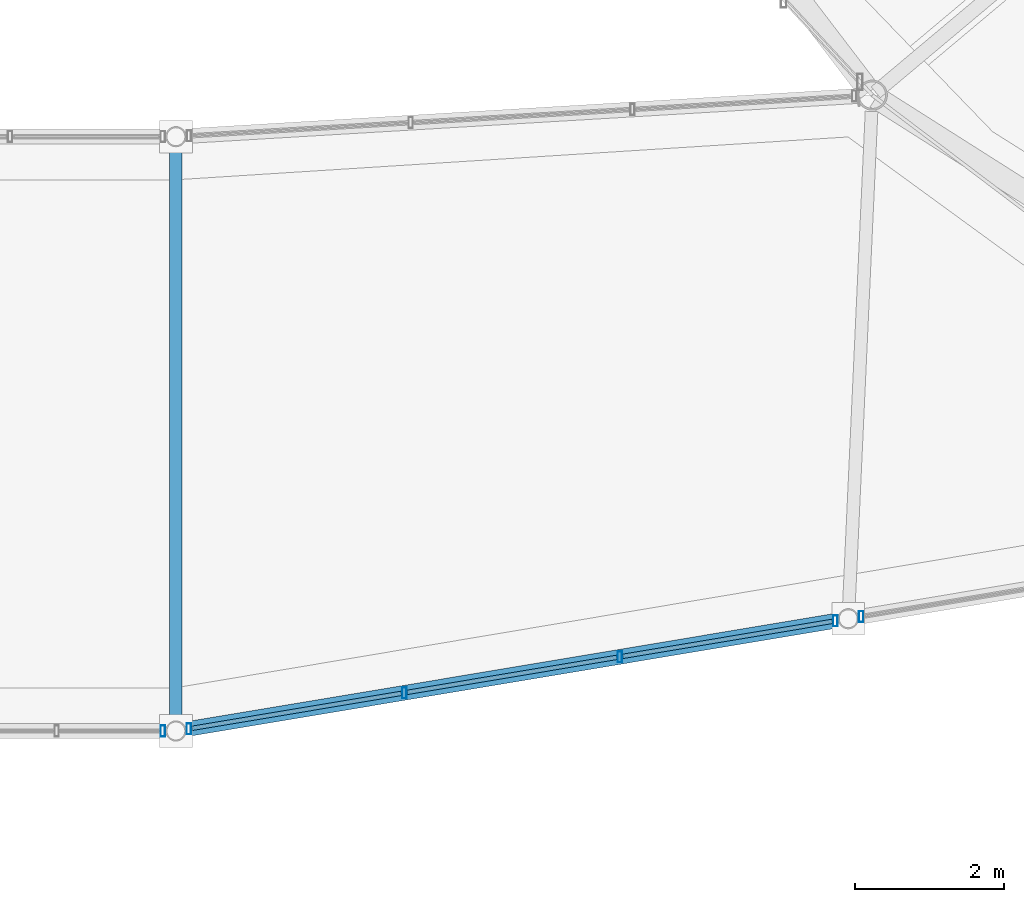
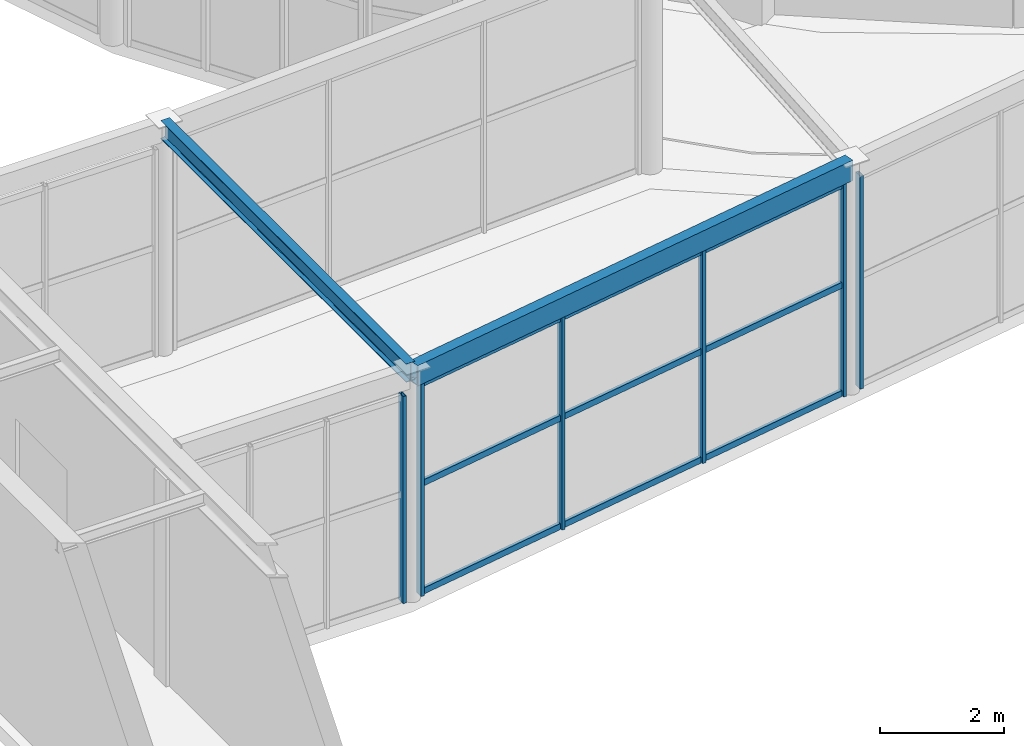
# One storey, part 20 of 100: 15 members, 2 beams, 3 elements without a shape of their own.
"""IFC4 building model written with IfcOpenShell, lengths in metres."""

from ifc_helpers import new_model, si_unit, direction, frame, origin, origin_2d, place, context, subcontext, project, spatial, hollow_rectangle, i_section, extrude, material, material_profile, profile_set, type_object, element, aggregate, save


model = new_model("IFC4")

# Units and contexts
model_context = context("Model", 3, precision=1e-05, world=origin(), true_north=direction((0.0, 1.0)))
body_context = subcontext(model_context, "Body", "Model", "MODEL_VIEW")
ifc_project = project(units=[si_unit("LENGTHUNIT", "METRE"), si_unit("AREAUNIT", "SQUARE_METRE"), si_unit("VOLUMEUNIT", "CUBIC_METRE"), si_unit("PLANEANGLEUNIT", "RADIAN"), si_unit("MASSUNIT", "GRAM", prefix="KILO")], contexts=[model_context])

# Site, building, storey
site_placement = place(None, origin())
site = spatial("IfcSite", under=ifc_project, at=site_placement, CompositionType="ELEMENT")
building_placement = place(site_placement, origin())
building = spatial("IfcBuilding", under=site, at=building_placement, Name="Tarnveldt Headland Concert Hall", CompositionType="ELEMENT")
storey_placement = place(building_placement, frame((0.0, 0.0, 4.800048828125)))
storey = spatial("IfcBuildingStorey", under=building, at=storey_placement, Name="L01", CompositionType="ELEMENT", Elevation=4.800048828125)

# Curtain wall, member
ifc_material_1 = material(Name="Marine-anodised aluminium EN AW-6063-T6", Category="aluminium")
curtain_wall_type = type_object("IfcCurtainWallType", Name="CW-L2", PredefinedType="NOTDEFINED", material=ifc_material_1)
curtain_wall_1_placement = place(storey_placement, origin())
curtain_wall_1 = element("IfcCurtainWall", 1, at=curtain_wall_1_placement, inside=storey, type_object=curtain_wall_type, Name="Curtain wall CW-L01-172", PredefinedType="NOTDEFINED")
ifc_material_profile_1 = material_profile(ifc_material_1, hollow_rectangle(XDim=0.06005859375, YDim=0.14990234375, WallThickness=0.00390625, at=origin_2d()), Name="ALU MULLION 60x150x4", Category="aluminium")
ifc_profile_set_1 = profile_set([ifc_material_profile_1], Name="Marine-anodised aluminium EN AW-6063-T6")
member_type_1 = type_object("IfcMemberType", Name="ML-150", PredefinedType="MULLION", material=ifc_profile_set_1)
member_1_placement = place(storey_placement, frame((48.823486328125, 30.0, 0.0), z_axis=(0.0, 0.0, 1.0), x_axis=(1.0, 0.0, 0.0)))
member_1 = element("IfcMember", 2, at=member_1_placement, type_object=member_type_1, Name="Mullion CW-L01-172-4", PredefinedType="MULLION", context=body_context, shape_type="SweptSolid", body=[
    extrude(hollow_rectangle(XDim=0.06005859375, YDim=0.14990234375, WallThickness=0.00390625, at=origin_2d()), origin(), (0.0, 0.0, 1.0), 4.077880859375),
])
aggregate(curtain_wall_1, [member_1])

# Curtain wall, members
curtain_wall_2_placement = place(storey_placement, origin())
curtain_wall_2 = element("IfcCurtainWall", 3, at=curtain_wall_2_placement, inside=storey, type_object=curtain_wall_type, Name="Curtain wall CW-L01-173", PredefinedType="NOTDEFINED")
member_2_placement = place(storey_placement, frame((49.174072265625, 30.029052734375, 0.0), z_axis=(0.0, 0.0, 1.0), x_axis=(1.0, 0.0, 0.0)))
member_2 = element("IfcMember", 4, at=member_2_placement, type_object=member_type_1, Name="Mullion CW-L01-173-1", PredefinedType="MULLION", context=body_context, shape_type="SweptSolid", body=[
    extrude(hollow_rectangle(XDim=0.06005859375, YDim=0.14990234375, WallThickness=0.00390625, at=origin_2d()), origin(), (0.0, 0.0, 1.0), 4.19287109375),
])
member_3_placement = place(storey_placement, frame((52.07470703125, 30.513427734375, 0.0), z_axis=(0.0, 0.0, 1.0), x_axis=(1.0, 0.0, 0.0)))
member_3 = element("IfcMember", 5, at=member_3_placement, type_object=member_type_1, Name="Mullion CW-L01-173-2", PredefinedType="MULLION", context=body_context, shape_type="SweptSolid", body=[
    extrude(hollow_rectangle(XDim=0.06005859375, YDim=0.14990234375, WallThickness=0.00390625, at=origin_2d()), origin(), (0.0, 0.0, 1.0), 4.19287109375),
])
member_4_placement = place(storey_placement, frame((54.975341796875, 30.997802734375, 0.0), z_axis=(0.0, 0.0, 1.0), x_axis=(1.0, 0.0, 0.0)))
member_4 = element("IfcMember", 6, at=member_4_placement, type_object=member_type_1, Name="Mullion CW-L01-173-3", PredefinedType="MULLION", context=body_context, shape_type="SweptSolid", body=[
    extrude(hollow_rectangle(XDim=0.06005859375, YDim=0.14990234375, WallThickness=0.00390625, at=origin_2d()), origin(), (0.0, 0.0, 1.0), 4.19287109375),
])
member_5_placement = place(storey_placement, frame((57.8759765625, 31.482177734375, 0.0), z_axis=(0.0, 0.0, 1.0), x_axis=(1.0, 0.0, 0.0)))
member_5 = element("IfcMember", 7, at=member_5_placement, type_object=member_type_1, Name="Mullion CW-L01-173-4", PredefinedType="MULLION", context=body_context, shape_type="SweptSolid", body=[
    extrude(hollow_rectangle(XDim=0.06005859375, YDim=0.14990234375, WallThickness=0.00390625, at=origin_2d()), origin(), (0.0, 0.0, 1.0), 4.19287109375),
])

# Curtain wall, member
curtain_wall_3_placement = place(storey_placement, origin())
curtain_wall_3 = element("IfcCurtainWall", 8, at=curtain_wall_3_placement, inside=storey, type_object=curtain_wall_type, Name="Curtain wall CW-L01-174", PredefinedType="NOTDEFINED")
member_6_placement = place(storey_placement, frame((58.22412109375, 31.540283203125, 0.0), z_axis=(0.0, 0.0, 1.0), x_axis=(1.0, 0.0, 0.0)))
member_6 = element("IfcMember", 9, at=member_6_placement, type_object=member_type_1, Name="Mullion CW-L01-174-1", PredefinedType="MULLION", context=body_context, shape_type="SweptSolid", body=[
    extrude(hollow_rectangle(XDim=0.06005859375, YDim=0.14990234375, WallThickness=0.00390625, at=origin_2d()), origin(), (0.0, 0.0, 1.0), 4.19287109375),
])
aggregate(curtain_wall_3, [member_6])

# Beams
ifc_material_2 = material(Name="Steel S355", Category="steel")
ifc_material_profile_2 = material_profile(ifc_material_2, i_section(OverallWidth=0.169921875, OverallDepth=0.360107421875, WebThickness=0.008056640625, FlangeThickness=0.0126953125, FilletRadius=0.01806640625, at=origin_2d()), Name="IPE360", Category="steel")
ifc_profile_set_2 = profile_set([ifc_material_profile_2], Name="Steel S355")
beam_type_1 = type_object("IfcBeamType", Name="SB-IPE360", PredefinedType="JOIST", material=ifc_profile_set_2)
beam_1_placement = place(storey_placement, frame((49.0, 30.0400390625, 4.425048828125), z_axis=(0.0, 1.0, 0.0), x_axis=(-1.0, 0.0, 0.0)))
element("IfcBeam", 10, at=beam_1_placement, inside=storey, type_object=beam_type_1, Name="Framing beam L01-916", PredefinedType="JOIST", context=body_context, shape_type="SweptSolid", body=[
    extrude(i_section(OverallWidth=0.169921875, OverallDepth=0.360107421875, WebThickness=0.008056640625, FlangeThickness=0.0126953125, FilletRadius=0.01806640625, at=origin_2d()), origin(), (0.0, 0.0, 1.0), 7.919921875),
])
ifc_material_profile_3 = material_profile(ifc_material_2, hollow_rectangle(XDim=0.199951171875, YDim=0.39990234375, WallThickness=0.01611328125, at=origin_2d()), Name="RHS 400x200x16", Category="steel")
ifc_profile_set_3 = profile_set([ifc_material_profile_3], Name="Steel S355")
beam_type_2 = type_object("IfcBeamType", Name="SB-RHS400", PredefinedType="BEAM", material=ifc_profile_set_3)
beam_2_placement = place(storey_placement, frame((49.03955078125, 30.006591796875, 4.405029296875), z_axis=(0.986342366067, 0.16470803533, 0.0), x_axis=(-0.16470803533, 0.986342366067, 0.0)))
element("IfcBeam", 11, at=beam_2_placement, inside=storey, type_object=beam_type_2, Name="Framing beam BM-LKS2-L01", PredefinedType="BEAM", context=body_context, shape_type="SweptSolid", body=[
    extrude(hollow_rectangle(XDim=0.199951171875, YDim=0.39990234375, WallThickness=0.01611328125, at=origin_2d()), origin(), (0.0, 0.0, 1.0), 9.09521484375),
])

# Member
ifc_material_profile_4 = material_profile(ifc_material_1, hollow_rectangle(XDim=0.06005859375, YDim=0.1201171875, WallThickness=0.00390625, at=origin_2d()), Name="ALU TRANSOM 60x120x4", Category="aluminium")
ifc_profile_set_4 = profile_set([ifc_material_profile_4], Name="Marine-anodised aluminium EN AW-6063-T6")
member_type_2 = type_object("IfcMemberType", Name="TR-110", PredefinedType="MEMBER", material=ifc_profile_set_4)
member_7_placement = place(storey_placement, frame((49.215576171875, 30.035888671875, 0.050048828125), z_axis=(0.986331487775, 0.164773165967, 0.0), x_axis=(-0.164773165967, 0.986331487775, 0.0)))
member_7 = element("IfcMember", 12, at=member_7_placement, type_object=member_type_2, Name="Transom CW-L01-173-1-1", PredefinedType="MEMBER", context=body_context, shape_type="SweptSolid", body=[
    extrude(hollow_rectangle(XDim=0.06005859375, YDim=0.1201171875, WallThickness=0.00390625, at=origin_2d()), origin(), (0.0, 0.0, 1.0), 2.856689453125),
])

member_8_placement = place(storey_placement, frame((49.215576171875, 30.035888671875, 2.180419921875), z_axis=(0.986331487775, 0.164773165967, 0.0), x_axis=(-0.164773165967, 0.986331487775, 0.0)))
member_8 = element("IfcMember", 13, at=member_8_placement, type_object=member_type_2, Name="Transom CW-L01-173-1-2", PredefinedType="MEMBER", context=body_context, shape_type="SweptSolid", body=[
    extrude(hollow_rectangle(XDim=0.06005859375, YDim=0.1201171875, WallThickness=0.00390625, at=origin_2d()), origin(), (0.0, 0.0, 1.0), 2.856689453125),
])

member_9_placement = place(storey_placement, frame((49.215576171875, 30.035888671875, 4.14306640625), z_axis=(0.986331487775, 0.164773165967, 0.0), x_axis=(-0.164773165967, 0.986331487775, 0.0)))
member_9 = element("IfcMember", 14, at=member_9_placement, type_object=member_type_2, Name="Transom CW-L01-173-1-3", PredefinedType="MEMBER", context=body_context, shape_type="SweptSolid", body=[
    extrude(hollow_rectangle(XDim=0.06005859375, YDim=0.1201171875, WallThickness=0.00390625, at=origin_2d()), origin(), (0.0, 0.0, 1.0), 2.856689453125),
])

member_10_placement = place(storey_placement, frame((52.1162109375, 30.5205078125, 0.050048828125), z_axis=(0.986345374038, 0.164690021295, 0.0), x_axis=(-0.164690021295, 0.986345374038, 0.0)))
member_10 = element("IfcMember", 15, at=member_10_placement, type_object=member_type_2, Name="Transom CW-L01-173-2-1", PredefinedType="MEMBER", context=body_context, shape_type="SweptSolid", body=[
    extrude(hollow_rectangle(XDim=0.06005859375, YDim=0.1201171875, WallThickness=0.00390625, at=origin_2d()), origin(), (0.0, 0.0, 1.0), 2.856689453125),
])

member_11_placement = place(storey_placement, frame((52.1162109375, 30.5205078125, 2.180419921875), z_axis=(0.986345374038, 0.164690021295, 0.0), x_axis=(-0.164690021295, 0.986345374038, 0.0)))
member_11 = element("IfcMember", 16, at=member_11_placement, type_object=member_type_2, Name="Transom CW-L01-173-2-2", PredefinedType="MEMBER", context=body_context, shape_type="SweptSolid", body=[
    extrude(hollow_rectangle(XDim=0.06005859375, YDim=0.1201171875, WallThickness=0.00390625, at=origin_2d()), origin(), (0.0, 0.0, 1.0), 2.856689453125),
])

member_12_placement = place(storey_placement, frame((52.1162109375, 30.5205078125, 4.14306640625), z_axis=(0.986345374038, 0.164690021295, 0.0), x_axis=(-0.164690021295, 0.986345374038, 0.0)))
member_12 = element("IfcMember", 17, at=member_12_placement, type_object=member_type_2, Name="Transom CW-L01-173-2-3", PredefinedType="MEMBER", context=body_context, shape_type="SweptSolid", body=[
    extrude(hollow_rectangle(XDim=0.06005859375, YDim=0.1201171875, WallThickness=0.00390625, at=origin_2d()), origin(), (0.0, 0.0, 1.0), 2.856689453125),
])

member_13_placement = place(storey_placement, frame((55.0166015625, 31.0048828125, 0.050048828125), z_axis=(0.986347691781, 0.164676139496, 0.0), x_axis=(-0.164676139496, 0.986347691781, 0.0)))
member_13 = element("IfcMember", 18, at=member_13_placement, type_object=member_type_2, Name="Transom CW-L01-173-3-1", PredefinedType="MEMBER", context=body_context, shape_type="SweptSolid", body=[
    extrude(hollow_rectangle(XDim=0.06005859375, YDim=0.1201171875, WallThickness=0.00390625, at=origin_2d()), origin(), (0.0, 0.0, 1.0), 2.85693359375),
])

member_14_placement = place(storey_placement, frame((55.0166015625, 31.0048828125, 2.180419921875), z_axis=(0.986347691781, 0.164676139496, 0.0), x_axis=(-0.164676139496, 0.986347691781, 0.0)))
member_14 = element("IfcMember", 19, at=member_14_placement, type_object=member_type_2, Name="Transom CW-L01-173-3-2", PredefinedType="MEMBER", context=body_context, shape_type="SweptSolid", body=[
    extrude(hollow_rectangle(XDim=0.06005859375, YDim=0.1201171875, WallThickness=0.00390625, at=origin_2d()), origin(), (0.0, 0.0, 1.0), 2.85693359375),
])

member_15_placement = place(storey_placement, frame((55.0166015625, 31.0048828125, 4.14306640625), z_axis=(0.986347691781, 0.164676139496, 0.0), x_axis=(-0.164676139496, 0.986347691781, 0.0)))
member_15 = element("IfcMember", 20, at=member_15_placement, type_object=member_type_2, Name="Transom CW-L01-173-3-3", PredefinedType="MEMBER", context=body_context, shape_type="SweptSolid", body=[
    extrude(hollow_rectangle(XDim=0.06005859375, YDim=0.1201171875, WallThickness=0.00390625, at=origin_2d()), origin(), (0.0, 0.0, 1.0), 2.85693359375),
])

aggregate(curtain_wall_2, [member_2, member_3, member_4, member_5, member_7, member_8, member_9, member_10, member_11, member_12, member_13, member_14, member_15])

save(model, "model.ifc")
